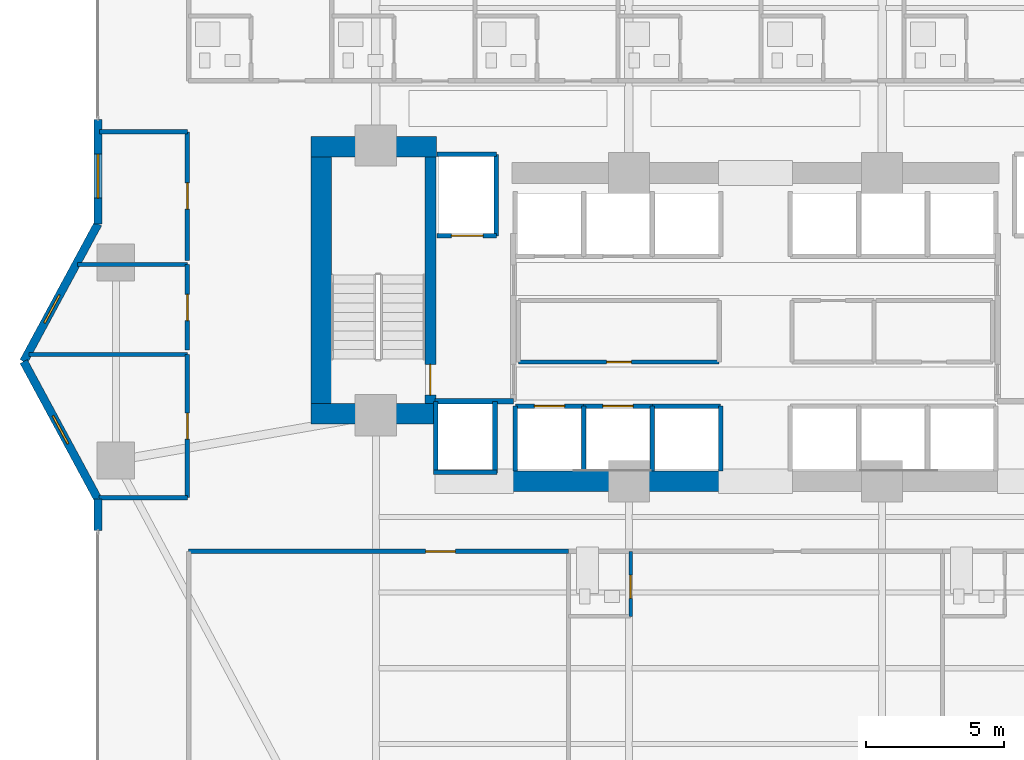
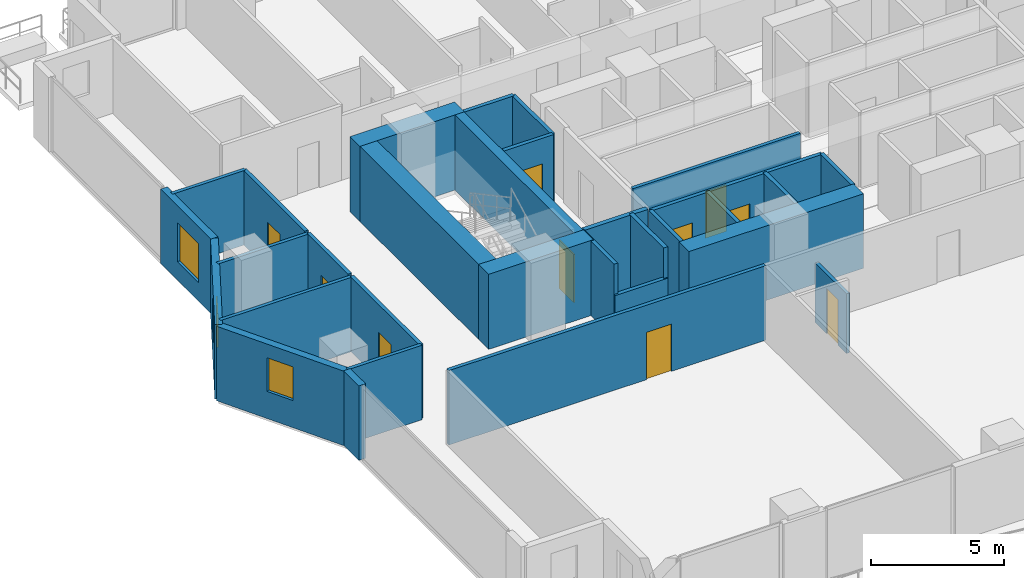
# One storey, part 21 of 29: 33 walls, 10 doors, 3 windows, 13 openings.
"""IFC4 building model written with IfcOpenShell, lengths in metres."""

from ifc_helpers import new_model, si_unit, direction, frame, frame_2d, origin, place, context, subcontext, project, spatial, rectangle, extrude, material, layer, layer_set, type_object, element, fill, save


model = new_model("IFC4")

# Units and contexts
model_context = context("Model", 3, precision=1e-05, world=origin(), true_north=direction((0.0, 1.0)))
body_context = subcontext(model_context, "Body", "Model", "MODEL_VIEW")
ifc_project = project(units=[si_unit("LENGTHUNIT", "METRE"), si_unit("AREAUNIT", "SQUARE_METRE"), si_unit("VOLUMEUNIT", "CUBIC_METRE"), si_unit("PLANEANGLEUNIT", "RADIAN"), si_unit("MASSUNIT", "GRAM", prefix="KILO")], contexts=[model_context])

# Site, building, storey
site_placement = place(None, origin())
site = spatial("IfcSite", under=ifc_project, at=site_placement, CompositionType="ELEMENT")
building_placement = place(site_placement, origin())
building = spatial("IfcBuilding", under=site, at=building_placement, Name="Zuhayl Quay Hotel", CompositionType="ELEMENT")
storey_placement = place(building_placement, frame((0.0, 0.0, 106.60009765625)))
storey = spatial("IfcBuildingStorey", under=building, at=storey_placement, Name="L26", CompositionType="ELEMENT", Elevation=106.60009765625)

# Walls
ifc_material_1 = material(Name="Concrete C60/75", Category="concrete")
ifc_layer_1 = layer(ifc_material_1, 0.75, Name="Concrete C60/75", Category="concrete")
ifc_layer_set_1 = layer_set([ifc_layer_1], Name="Concrete C60/75")
wall_type_1 = type_object("IfcWallType", Name="WL_CORE_750", PredefinedType="SHEAR", material=ifc_layer_set_1)
wall_1_placement = place(storey_placement, frame((-16.159912109375, 14.304931640625, 0.0), z_axis=(0.0, 0.0, 1.0), x_axis=(1.0, 0.0, 0.0)))
element("IfcWall", 1, at=wall_1_placement, inside=storey, type_object=wall_type_1, Name="L26 Core Shear Wall CW_NW", PredefinedType="SHEAR", context=body_context, shape_type="SweptSolid", body=[
    extrude(rectangle(XDim=4.559814453125, YDim=0.75, at=frame_2d((2.27978515625, 0.0))), origin(), (0.0, 0.0, 1.0), 3.4599609375),
])
wall_2_placement = place(storey_placement, frame((-15.784912109375, 4.969970703125, 0.0), z_axis=(0.0, 0.0, 1.0), x_axis=(0.0, 1.0, 0.0)))
element("IfcWall", 2, at=wall_2_placement, inside=storey, type_object=wall_type_1, Name="L26 Core Shear Wall CW_W", PredefinedType="SHEAR", context=body_context, shape_type="SweptSolid", body=[
    extrude(rectangle(XDim=8.9599609375, YDim=0.75, at=frame_2d((4.47998046875, 0.0))), origin(), (0.0, 0.0, 1.0), 3.4599609375),
])
wall_3_placement = place(storey_placement, frame((-16.159912109375, 4.594970703125, 0.0), z_axis=(0.0, 0.0, 1.0), x_axis=(1.0, 0.0, 0.0)))
element("IfcWall", 3, at=wall_3_placement, inside=storey, type_object=wall_type_1, Name="L26 Core Shear Wall CW_SW", PredefinedType="SHEAR", context=body_context, shape_type="SweptSolid", body=[
    extrude(rectangle(XDim=4.559814453125, YDim=0.75, at=frame_2d((2.27978515625, 0.0))), origin(), (0.0, 0.0, 1.0), 3.4599609375),
])
wall_4_placement = place(storey_placement, frame((-8.85009765625, 2.14990234375, 0.0), z_axis=(0.0, 0.0, 1.0), x_axis=(1.0, 0.0, 0.0)))
element("IfcWall", 4, at=wall_4_placement, inside=storey, type_object=wall_type_1, Name="L26 Core Shear Wall CW_SC_W", PredefinedType="SHEAR", context=body_context, shape_type="SweptSolid", body=[
    extrude(rectangle(XDim=7.60009765625, YDim=0.75, at=frame_2d((3.800048828125, 0.0))), origin(), (0.0, 0.0, 1.0), 3.429931640625),
])
ifc_material_2 = material(Name="Precast concrete C45/55", Category="concrete")
ifc_layer_2 = layer(ifc_material_2, 0.300048828125, Name="Precast concrete C45/55", Category="concrete")
ifc_layer_set_2 = layer_set([ifc_layer_2], Name="Precast concrete C45/55")
wall_type_2 = type_object("IfcWallType", Name="WL_EXT_300", PredefinedType="STANDARD", material=ifc_layer_set_2)
wall_5_placement = place(storey_placement, frame((-23.89990234375, 0.35009765625, 0.0), z_axis=(0.0, 0.0, 1.0), x_axis=(0.0, 1.0, 0.0)))
element("IfcWall", 5, at=wall_5_placement, inside=storey, type_object=wall_type_2, Name="L26 Exterior Precast Wall ENV_L26_E02_EW2", PredefinedType="STANDARD", context=body_context, shape_type="SweptSolid", body=[
    extrude(rectangle(XDim=1.14990234375, YDim=0.300048828125, at=frame_2d((0.574951171875, 0.0))), origin(), (0.0, 0.0, 1.0), 3.429931640625),
])

# Wall, opening, window
wall_6_placement = place(storey_placement, frame((-23.89990234375, 1.5, 0.0), z_axis=(0.0, 0.0, 1.0), x_axis=(-0.475175525499, 0.879891027325, 0.0)))
wall_6 = element("IfcWall", 6, at=wall_6_placement, inside=storey, type_object=wall_type_2, Name="L26 Exterior Precast Wall ENV_L26_EW03", PredefinedType="STANDARD", context=body_context, shape_type="SweptSolid", body=[
    extrude(rectangle(XDim=5.6826171875, YDim=0.300048828125, at=frame_2d((2.84130859375, 0.0))), origin(), (0.0, 0.0, 1.0), 3.429931640625),
])
opening_1_placement = place(wall_6_placement, frame((2.290283203125, 0.0, 1.25)))
opening_1 = element("IfcOpeningElement", 7, at=opening_1_placement, cuts=wall_6, Name="Opening W01N", PredefinedType="OPENING", context=body_context, shape_type="SweptSolid", body=[
    extrude(rectangle(XDim=1.14990234375, YDim=1.550048828125, at=frame_2d((0.574951171875, 0.77490234375))), frame((0.0, 0.159912109375, 0.0), z_axis=(0.0, -1.0, 0.0), x_axis=(1.0, 0.0, 0.0)), (0.0, 0.0, 1.0), 0.320068359375),
])
ifc_material_3 = material(Name="Dark Ceramic-Fritted Solar Glass", Category="glass")
window_type_1 = type_object("IfcWindowType", Name="WN_NOTCH_1350", PartitioningType="SINGLE_PANEL", PredefinedType="WINDOW", material=ifc_material_3)
window_1_placement = place(opening_1_placement, origin())
window_1 = element("IfcWindow", 8, at=window_1_placement, inside=storey, type_object=window_type_1, Name="L26 Corner Notch Window 3", OverallHeight=1.550048828125, OverallWidth=1.14990234375, PartitioningType="SINGLE_PANEL", PredefinedType="WINDOW", context=body_context, shape_type="SweptSolid", body=[
    extrude(rectangle(XDim=1.14990234375, YDim=1.550048828125, at=frame_2d((0.574951171875, 0.77490234375))), frame((0.0, 0.030029296875, 0.0), z_axis=(0.0, -1.0, 0.0), x_axis=(1.0, 0.0, 0.0)), (0.0, 0.0, 1.0), 0.06005859375),
])
fill(opening_1, window_1)

wall_7_placement = place(storey_placement, frame((-26.60009765625, 6.5, 0.0), z_axis=(0.0, 0.0, 1.0), x_axis=(0.475175525499, 0.879891027325, 0.0)))
wall_7 = element("IfcWall", 9, at=wall_7_placement, inside=storey, type_object=wall_type_2, Name="L26 Exterior Precast Wall ENV_L26_EW04", PredefinedType="STANDARD", context=body_context, shape_type="SweptSolid", body=[
    extrude(rectangle(XDim=5.6826171875, YDim=0.300048828125, at=frame_2d((2.84130859375, 0.0))), origin(), (0.0, 0.0, 1.0), 3.429931640625),
])
opening_2_placement = place(wall_7_placement, frame((1.595703125, 0.0, 1.25)))
opening_2 = element("IfcOpeningElement", 10, at=opening_2_placement, cuts=wall_7, Name="Opening W01N", PredefinedType="OPENING", context=body_context, shape_type="SweptSolid", body=[
    extrude(rectangle(XDim=1.14990234375, YDim=1.550048828125, at=frame_2d((0.574951171875, 0.77490234375))), frame((0.0, 0.159912109375, 0.0), z_axis=(0.0, -1.0, 0.0), x_axis=(1.0, 0.0, 0.0)), (0.0, 0.0, 1.0), 0.320068359375),
])
window_2_placement = place(opening_2_placement, origin())
window_2 = element("IfcWindow", 11, at=window_2_placement, inside=storey, type_object=window_type_1, Name="L26 Corner Notch Window 4", OverallHeight=1.550048828125, OverallWidth=1.14990234375, PartitioningType="SINGLE_PANEL", PredefinedType="WINDOW", context=body_context, shape_type="SweptSolid", body=[
    extrude(rectangle(XDim=1.14990234375, YDim=1.550048828125, at=frame_2d((0.574951171875, 0.77490234375))), frame((0.0, 0.030029296875, 0.0), z_axis=(0.0, -1.0, 0.0), x_axis=(1.0, 0.0, 0.0)), (0.0, 0.0, 1.0), 0.06005859375),
])
fill(opening_2, window_2)

wall_8_placement = place(storey_placement, frame((-23.89990234375, 11.5, 0.0), z_axis=(0.0, 0.0, 1.0), x_axis=(0.0, 1.0, 0.0)))
wall_8 = element("IfcWall", 12, at=wall_8_placement, inside=storey, type_object=wall_type_2, Name="L26 Exterior Precast Wall ENV_L26_E05_EW1", PredefinedType="STANDARD", context=body_context, shape_type="SweptSolid", body=[
    extrude(rectangle(XDim=3.800048828125, YDim=0.300048828125, at=frame_2d((1.89990234375, 0.0))), origin(), (0.0, 0.0, 1.0), 3.429931640625),
])
opening_3_placement = place(wall_8_placement, frame((0.93505859375, 0.0, 0.85009765625)))
opening_3 = element("IfcOpeningElement", 13, at=opening_3_placement, cuts=wall_8, Name="Opening W01", PredefinedType="OPENING", context=body_context, shape_type="SweptSolid", body=[
    extrude(rectangle(XDim=1.60009765625, YDim=1.800048828125, at=frame_2d((0.800048828125, 0.89990234375))), frame((0.0, 0.159912109375, 0.0), z_axis=(0.0, -1.0, 0.0), x_axis=(1.0, 0.0, 0.0)), (0.0, 0.0, 1.0), 0.320068359375),
])
window_type_2 = type_object("IfcWindowType", Name="WN_OPERABLE_1600", PartitioningType="DOUBLE_PANEL_VERTICAL", PredefinedType="WINDOW", material=ifc_material_3)
window_3_placement = place(opening_3_placement, origin())
window_3 = element("IfcWindow", 14, at=window_3_placement, inside=storey, type_object=window_type_2, Name="L26 Operable Facade Window 1-1", OverallHeight=1.800048828125, OverallWidth=1.60009765625, PartitioningType="SINGLE_PANEL", PredefinedType="WINDOW", context=body_context, shape_type="SweptSolid", body=[
    extrude(rectangle(XDim=1.60009765625, YDim=1.800048828125, at=frame_2d((0.800048828125, 0.89990234375))), frame((0.0, 0.030029296875, 0.0), z_axis=(0.0, -1.0, 0.0), x_axis=(1.0, 0.0, 0.0)), (0.0, 0.0, 1.0), 0.06005859375),
])
fill(opening_3, window_3)

# Wall, opening, door
ifc_material_4 = material(Name="Acoustic Gypsum Partition STC-58")
ifc_layer_3 = layer(ifc_material_4, 0.14990234375, Name="Acoustic Gypsum Partition STC-58")
ifc_layer_set_3 = layer_set([ifc_layer_3], Name="Acoustic Gypsum Partition STC-58")
wall_type_3 = type_object("IfcWallType", Name="WL_PART_150", PredefinedType="PARTITIONING", material=ifc_layer_set_3)
wall_9_placement = place(storey_placement, frame((-8.610107421875, 6.47998046875, 0.0), z_axis=(0.0, 0.0, 1.0), x_axis=(1.0, 0.0, 0.0)))
wall_9 = element("IfcWall", 15, at=wall_9_placement, inside=storey, type_object=wall_type_3, Name="L26 Partition IW_L26_CORE_EL_S", PredefinedType="PARTITIONING", context=body_context, shape_type="SweptSolid", body=[
    extrude(rectangle(XDim=7.2900390625, YDim=0.14990234375, at=frame_2d((3.64501953125, 0.0))), origin(), (0.0, 0.0, 1.0), 3.429931640625),
])
opening_4_placement = place(wall_9_placement, frame((3.195068359375, 0.0, 0.0)))
opening_4 = element("IfcOpeningElement", 16, at=opening_4_placement, cuts=wall_9, Name="Opening D06", PredefinedType="OPENING", context=body_context, shape_type="SweptSolid", body=[
    extrude(rectangle(XDim=0.89990234375, YDim=2.14990234375, at=frame_2d((0.449951171875, 1.074951171875))), frame((0.0, 0.0849609375, 0.0), z_axis=(0.0, -1.0, 0.0), x_axis=(1.0, 0.0, 0.0)), (0.0, 0.0, 1.0), 0.169921875),
])
ifc_material_5 = material(Name="Steel ASTM A992 Grade 50", Category="steel")
door_type_1 = type_object("IfcDoorType", Name="DR_INT_900", OperationType="NOTDEFINED", PredefinedType="DOOR", material=ifc_material_5)
door_1_placement = place(opening_4_placement, origin())
door_1 = element("IfcDoor", 17, at=door_1_placement, inside=storey, type_object=door_type_1, Name="L26 Floor Electrical Plant Room Door", OperationType="SINGLE_SWING_LEFT", OverallHeight=2.14990234375, OverallWidth=0.89990234375, PredefinedType="DOOR", context=body_context, shape_type="SweptSolid", body=[
    extrude(rectangle(XDim=0.89990234375, YDim=2.14990234375, at=frame_2d((0.449951171875, 1.074951171875))), frame((0.0, 0.02490234375, 0.0), z_axis=(0.0, -1.0, 0.0), x_axis=(1.0, 0.0, 0.0)), (0.0, 0.0, 1.0), 0.050048828125),
])
fill(opening_4, door_1)

# Walls
wall_10_placement = place(storey_placement, frame((-23.866943359375, 1.550048828125, 0.0), z_axis=(0.0, 0.0, 1.0), x_axis=(1.0, 0.0, 0.0)))
element("IfcWall", 18, at=wall_10_placement, inside=storey, type_object=wall_type_3, Name="L26 Partition IW_L26_WPROW_1_S", PredefinedType="PARTITIONING", context=body_context, shape_type="SweptSolid", body=[
    extrude(rectangle(XDim=3.217041015625, YDim=0.14990234375, at=frame_2d((1.6083984375, 0.0))), origin(), (0.0, 0.0, 1.0), 3.429931640625),
])
wall_11_placement = place(storey_placement, frame((-26.405029296875, 6.75, 0.0), z_axis=(0.0, 0.0, 1.0), x_axis=(1.0, 0.0, 0.0)))
element("IfcWall", 19, at=wall_11_placement, inside=storey, type_object=wall_type_3, Name="L26 Partition IW_L26_WPROW_1_N", PredefinedType="PARTITIONING", context=body_context, shape_type="SweptSolid", body=[
    extrude(rectangle(XDim=5.755126953125, YDim=0.14990234375, at=frame_2d((2.87744140625, 0.0))), origin(), (0.0, 0.0, 1.0), 3.429931640625),
])
wall_12_placement = place(storey_placement, frame((-24.63916015625, 10.02001953125, 0.0), z_axis=(0.0, 0.0, 1.0), x_axis=(1.0, 0.0, 0.0)))
element("IfcWall", 20, at=wall_12_placement, inside=storey, type_object=wall_type_3, Name="L26 Partition IW_L26_WPROW_2_N", PredefinedType="PARTITIONING", context=body_context, shape_type="SweptSolid", body=[
    extrude(rectangle(XDim=3.9892578125, YDim=0.14990234375, at=frame_2d((1.99462890625, 0.0))), origin(), (0.0, 0.0, 1.0), 3.429931640625),
])
wall_13_placement = place(storey_placement, frame((-23.840087890625, 14.85009765625, 0.0), z_axis=(0.0, 0.0, 1.0), x_axis=(1.0, 0.0, 0.0)))
element("IfcWall", 21, at=wall_13_placement, inside=storey, type_object=wall_type_3, Name="L26 Partition IW_L26_WPROW_3_N", PredefinedType="PARTITIONING", context=body_context, shape_type="SweptSolid", body=[
    extrude(rectangle(XDim=3.190185546875, YDim=0.14990234375, at=frame_2d((1.59521484375, 0.0))), origin(), (0.0, 0.0, 1.0), 3.429931640625),
])

# Wall, opening, door
ifc_layer_4 = layer(ifc_material_4, 0.159912109375, Name="Acoustic Gypsum Partition STC-58")
ifc_layer_set_4 = layer_set([ifc_layer_4], Name="Acoustic Gypsum Partition STC-58")
wall_type_4 = type_object("IfcWallType", Name="WL_PART_CORR_160", PredefinedType="PARTITIONING", material=ifc_layer_set_4)
wall_14_placement = place(storey_placement, frame((-20.60009765625, -0.39990234375, 0.0), z_axis=(0.0, 0.0, 1.0), x_axis=(1.0, 0.0, 0.0)))
wall_14 = element("IfcWall", 22, at=wall_14_placement, inside=storey, type_object=wall_type_4, Name="L26 Partition IW_L26_SSAL_0_N", PredefinedType="PARTITIONING", context=body_context, shape_type="SweptSolid", body=[
    extrude(rectangle(XDim=13.800048828125, YDim=0.159912109375, at=frame_2d((6.89990234375, 0.0))), origin(), (0.0, 0.0, 1.0), 3.429931640625),
])
opening_5_placement = place(wall_14_placement, frame((8.610107421875, 0.0, 0.0)))
opening_5 = element("IfcOpeningElement", 23, at=opening_5_placement, cuts=wall_14, Name="Opening D05A", PredefinedType="OPENING", context=body_context, shape_type="SweptSolid", body=[
    extrude(rectangle(XDim=1.080078125, YDim=2.179931640625, at=frame_2d((0.5400390625, 1.08984375))), frame((0.0, 0.08984375, 0.0), z_axis=(0.0, -1.0, 0.0), x_axis=(1.0, 0.0, 0.0)), (0.0, 0.0, 1.0), 0.179931640625),
])
ifc_material_6 = material(Name="Solid Walnut Acoustic Fire Door")
door_type_2 = type_object("IfcDoorType", Name="DR_INT_1100", OperationType="NOTDEFINED", PredefinedType="DOOR", material=ifc_material_6)
door_2_placement = place(opening_5_placement, origin())
door_2 = element("IfcDoor", 24, at=door_2_placement, inside=storey, type_object=door_type_2, Name="L26 South Sunset Salon L26 Door", OperationType="SINGLE_SWING_RIGHT", OverallHeight=2.179931640625, OverallWidth=1.080078125, PredefinedType="DOOR", context=body_context, shape_type="SweptSolid", body=[
    extrude(rectangle(XDim=1.080078125, YDim=2.179931640625, at=frame_2d((0.5400390625, 1.08984375))), frame((0.0, 0.02490234375, 0.0), z_axis=(0.0, -1.0, 0.0), x_axis=(1.0, 0.0, 0.0)), (0.0, 0.0, 1.0), 0.050048828125),
])
fill(opening_5, door_2)

wall_15_placement = place(storey_placement, frame((-20.64990234375, 1.550048828125, 0.0), z_axis=(0.0, 0.0, 1.0), x_axis=(0.0, 1.0, 0.0)))
wall_15 = element("IfcWall", 25, at=wall_15_placement, inside=storey, type_object=wall_type_4, Name="L26 Partition IW_L26_WPROW_1_E", PredefinedType="PARTITIONING", context=body_context, shape_type="SweptSolid", body=[
    extrude(rectangle(XDim=5.199951171875, YDim=0.159912109375, at=frame_2d((2.60009765625, 0.0))), origin(), (0.0, 0.0, 1.0), 3.429931640625),
])
opening_6_placement = place(wall_15_placement, frame((2.125, 0.0, 0.0)))
opening_6 = element("IfcOpeningElement", 26, at=opening_6_placement, cuts=wall_15, Name="Opening D03", PredefinedType="OPENING", context=body_context, shape_type="SweptSolid", body=[
    extrude(rectangle(XDim=0.949951171875, YDim=2.14990234375, at=frame_2d((0.47509765625, 1.074951171875))), frame((0.0, 0.08984375, 0.0), z_axis=(0.0, -1.0, 0.0), x_axis=(1.0, 0.0, 0.0)), (0.0, 0.0, 1.0), 0.179931640625),
])
door_type_3 = type_object("IfcDoorType", Name="DR_SUITE_950", OperationType="NOTDEFINED", PredefinedType="DOOR", material=ifc_material_6)
door_3_placement = place(opening_6_placement, origin())
door_3 = element("IfcDoor", 27, at=door_3_placement, inside=storey, type_object=door_type_3, Name="L26 West Prow Office L26 Door", OperationType="SINGLE_SWING_LEFT", OverallHeight=2.14990234375, OverallWidth=0.949951171875, PredefinedType="DOOR", context=body_context, shape_type="SweptSolid", body=[
    extrude(rectangle(XDim=0.949951171875, YDim=2.14990234375, at=frame_2d((0.47509765625, 1.074951171875))), frame((0.0, 0.02490234375, 0.0), z_axis=(0.0, -1.0, 0.0), x_axis=(1.0, 0.0, 0.0)), (0.0, 0.0, 1.0), 0.050048828125),
])
fill(opening_6, door_3)

wall_16_placement = place(storey_placement, frame((-20.64990234375, 6.909912109375, 0.0), z_axis=(0.0, 0.0, 1.0), x_axis=(0.0, 1.0, 0.0)))
wall_16 = element("IfcWall", 28, at=wall_16_placement, inside=storey, type_object=wall_type_4, Name="L26 Partition IW_L26_WPROW_2_E", PredefinedType="PARTITIONING", context=body_context, shape_type="SweptSolid", body=[
    extrude(rectangle(XDim=3.110107421875, YDim=0.159912109375, at=frame_2d((1.55517578125, 0.0))), origin(), (0.0, 0.0, 1.0), 3.429931640625),
])
opening_7_placement = place(wall_16_placement, frame((1.080078125, 0.0, 0.0)))
opening_7 = element("IfcOpeningElement", 29, at=opening_7_placement, cuts=wall_16, Name="Opening D03", PredefinedType="OPENING", context=body_context, shape_type="SweptSolid", body=[
    extrude(rectangle(XDim=0.949951171875, YDim=2.14990234375, at=frame_2d((0.47509765625, 1.074951171875))), frame((0.0, 0.08984375, 0.0), z_axis=(0.0, -1.0, 0.0), x_axis=(1.0, 0.0, 0.0)), (0.0, 0.0, 1.0), 0.179931640625),
])
door_4_placement = place(opening_7_placement, origin())
door_4 = element("IfcDoor", 30, at=door_4_placement, inside=storey, type_object=door_type_3, Name="L26 Sunset Tea Salon L26 Door", OperationType="SINGLE_SWING_RIGHT", OverallHeight=2.14990234375, OverallWidth=0.949951171875, PredefinedType="DOOR", context=body_context, shape_type="SweptSolid", body=[
    extrude(rectangle(XDim=0.949951171875, YDim=2.14990234375, at=frame_2d((0.47509765625, 1.074951171875))), frame((0.0, 0.02490234375, 0.0), z_axis=(0.0, -1.0, 0.0), x_axis=(1.0, 0.0, 0.0)), (0.0, 0.0, 1.0), 0.050048828125),
])
fill(opening_7, door_4)

wall_17_placement = place(storey_placement, frame((-20.64990234375, 10.179931640625, 0.0), z_axis=(0.0, 0.0, 1.0), x_axis=(0.0, 1.0, 0.0)))
wall_17 = element("IfcWall", 31, at=wall_17_placement, inside=storey, type_object=wall_type_4, Name="L26 Partition IW_L26_WPROW_3_E", PredefinedType="PARTITIONING", context=body_context, shape_type="SweptSolid", body=[
    extrude(rectangle(XDim=4.670166015625, YDim=0.159912109375, at=frame_2d((2.3349609375, 0.0))), origin(), (0.0, 0.0, 1.0), 3.429931640625),
])
opening_8_placement = place(wall_17_placement, frame((1.860107421875, 0.0, 0.0)))
opening_8 = element("IfcOpeningElement", 32, at=opening_8_placement, cuts=wall_17, Name="Opening D03", PredefinedType="OPENING", context=body_context, shape_type="SweptSolid", body=[
    extrude(rectangle(XDim=0.949951171875, YDim=2.14990234375, at=frame_2d((0.47509765625, 1.074951171875))), frame((0.0, 0.08984375, 0.0), z_axis=(0.0, -1.0, 0.0), x_axis=(1.0, 0.0, 0.0)), (0.0, 0.0, 1.0), 0.179931640625),
])
door_5_placement = place(opening_8_placement, origin())
door_5 = element("IfcDoor", 33, at=door_5_placement, inside=storey, type_object=door_type_3, Name="L26 West Horizon Salon L26 Door", OperationType="SINGLE_SWING_LEFT", OverallHeight=2.14990234375, OverallWidth=0.949951171875, PredefinedType="DOOR", context=body_context, shape_type="SweptSolid", body=[
    extrude(rectangle(XDim=0.949951171875, YDim=2.14990234375, at=frame_2d((0.47509765625, 1.074951171875))), frame((0.0, 0.02490234375, 0.0), z_axis=(0.0, -1.0, 0.0), x_axis=(1.0, 0.0, 0.0)), (0.0, 0.0, 1.0), 0.050048828125),
])
fill(opening_8, door_5)

ifc_material_7 = material(Name="Moisture-Resistant Sanitarychase Gypsum")
ifc_layer_5 = layer(ifc_material_7, 0.135009765625, Name="Moisture-Resistant Sanitarychase Gypsum")
ifc_layer_set_5 = layer_set([ifc_layer_5], Name="Moisture-Resistant Sanitarychase Gypsum")
wall_type_5 = type_object("IfcWallType", Name="WL_PART_PLUMB_150", PredefinedType="PLUMBINGWALL", material=ifc_layer_set_5)
wall_18_placement = place(storey_placement, frame((-4.5400390625, -2.760009765625, 0.0), z_axis=(0.0, 0.0, 1.0), x_axis=(0.0, 1.0, 0.0)))
wall_18 = element("IfcWall", 34, at=wall_18_placement, inside=storey, type_object=wall_type_5, Name="L26 Partition IW_L26_SU02_BE", PredefinedType="PLUMBINGWALL", context=body_context, shape_type="SweptSolid", body=[
    extrude(rectangle(XDim=2.360107421875, YDim=0.135009765625, at=frame_2d((1.18017578125, 0.0))), origin(), (0.0, 0.0, 1.0), 2.746826171875),
])
opening_9_placement = place(wall_18_placement, frame((0.64990234375, 0.0, 0.0)))
opening_9 = element("IfcOpeningElement", 35, at=opening_9_placement, cuts=wall_18, Name="Opening D04", PredefinedType="OPENING", context=body_context, shape_type="SweptSolid", body=[
    extrude(rectangle(XDim=0.85009765625, YDim=2.10009765625, at=frame_2d((0.425048828125, 1.050048828125))), frame((0.0, 0.077392578125, 0.0), z_axis=(0.0, -1.0, 0.0), x_axis=(1.0, 0.0, 0.0)), (0.0, 0.0, 1.0), 0.155029296875),
])
ifc_material_8 = material(Name="Moisture-Resistant Walnut Veneer")
door_type_4 = type_object("IfcDoorType", Name="DR_BATH_850", OperationType="NOTDEFINED", PredefinedType="DOOR", material=ifc_material_8)
door_6_placement = place(opening_9_placement, origin())
door_6 = element("IfcDoor", 36, at=door_6_placement, inside=storey, type_object=door_type_4, Name="L26 City-View Junior Suite L26-02 En-Suite Door", OperationType="SINGLE_SWING_LEFT", OverallHeight=2.10009765625, OverallWidth=0.85009765625, PredefinedType="DOOR", context=body_context, shape_type="SweptSolid", body=[
    extrude(rectangle(XDim=0.85009765625, YDim=2.10009765625, at=frame_2d((0.425048828125, 1.050048828125))), frame((0.0, 0.02490234375, 0.0), z_axis=(0.0, -1.0, 0.0), x_axis=(1.0, 0.0, 0.0)), (0.0, 0.0, 1.0), 0.050048828125),
])
fill(opening_9, door_6)

ifc_material_9 = material(Name="Gypsum Fireboard Assembly EI-90")
ifc_layer_6 = layer(ifc_material_9, 0.1650390625, Name="Gypsum Fireboard Assembly EI-90")
ifc_layer_set_6 = layer_set([ifc_layer_6], Name="Gypsum Fireboard Assembly EI-90")
wall_type_6 = type_object("IfcWallType", Name="WL_PART_SHAFT_160", PredefinedType="PARTITIONING", material=ifc_layer_set_6)
wall_19_placement = place(storey_placement, frame((-11.580078125, 11.070068359375, 0.0), z_axis=(0.0, 0.0, 1.0), x_axis=(1.0, 0.0, 0.0)))
wall_19 = element("IfcWall", 37, at=wall_19_placement, inside=storey, type_object=wall_type_6, Name="L26 Partition IW_L26_SH_FL1_F", PredefinedType="PARTITIONING", context=body_context, shape_type="SweptSolid", body=[
    extrude(rectangle(XDim=2.16015625, YDim=0.1650390625, at=frame_2d((1.080078125, 0.0))), origin(), (0.0, 0.0, 1.0), 3.429931640625),
])
opening_10_placement = place(wall_19_placement, frame((0.530029296875, 0.0, 0.0)))
opening_10 = element("IfcOpeningElement", 38, at=opening_10_placement, cuts=wall_19, Name="Opening LD2", PredefinedType="OPENING", context=body_context, shape_type="SweptSolid", body=[
    extrude(rectangle(XDim=1.14990234375, YDim=2.25, at=frame_2d((0.574951171875, 1.125))), frame((0.0, 0.092529296875, 0.0), z_axis=(0.0, -1.0, 0.0), x_axis=(1.0, 0.0, 0.0)), (0.0, 0.0, 1.0), 0.18505859375),
])
ifc_material_10 = material(Name="Brushed Stainless Steel", Category="steel")
door_type_5 = type_object("IfcDoorType", Name="DR_LIFT_FF_1100", OperationType="SLIDING_TO_LEFT", PredefinedType="DOOR", material=ifc_material_10)
door_7_placement = place(opening_10_placement, origin())
door_7 = element("IfcDoor", 39, at=door_7_placement, inside=storey, type_object=door_type_5, Name="L26 Lift FL1 Sliding Landing Door", OperationType="SLIDING_TO_LEFT", OverallHeight=2.25, OverallWidth=1.14990234375, PredefinedType="DOOR", context=body_context, shape_type="SweptSolid", body=[
    extrude(rectangle(XDim=1.14990234375, YDim=2.25, at=frame_2d((0.574951171875, 1.125))), frame((0.0, 0.02490234375, 0.0), z_axis=(0.0, -1.0, 0.0), x_axis=(1.0, 0.0, 0.0)), (0.0, 0.0, 1.0), 0.050048828125),
])
fill(opening_10, door_7)

wall_20_placement = place(storey_placement, frame((-8.72998046875, 4.8798828125, 0.0), z_axis=(0.0, 0.0, 1.0), x_axis=(1.0, 0.0, 0.0)))
wall_20 = element("IfcWall", 40, at=wall_20_placement, inside=storey, type_object=wall_type_6, Name="L26 Partition IW_L26_SH_LP1_F", PredefinedType="PARTITIONING", context=body_context, shape_type="SweptSolid", body=[
    extrude(rectangle(XDim=2.47998046875, YDim=0.1650390625, at=frame_2d((1.239990234375, 0.0))), origin(), (0.0, 0.0, 1.0), 3.429931640625),
])
opening_11_placement = place(wall_20_placement, frame((0.68994140625, 0.0, 0.0)))
opening_11 = element("IfcOpeningElement", 41, at=opening_11_placement, cuts=wall_20, Name="Opening LD1", PredefinedType="OPENING", context=body_context, shape_type="SweptSolid", body=[
    extrude(rectangle(XDim=1.10009765625, YDim=2.25, at=frame_2d((0.550048828125, 1.125))), frame((0.0, 0.092529296875, 0.0), z_axis=(0.0, -1.0, 0.0), x_axis=(1.0, 0.0, 0.0)), (0.0, 0.0, 1.0), 0.18505859375),
])
door_type_6 = type_object("IfcDoorType", Name="DR_LIFT_PASS_1100", OperationType="SLIDING_TO_LEFT", PredefinedType="DOOR", material=ifc_material_10)
door_8_placement = place(opening_11_placement, origin())
door_8 = element("IfcDoor", 42, at=door_8_placement, inside=storey, type_object=door_type_6, Name="L26 Lift LP1 Sliding Landing Door", OperationType="SLIDING_TO_LEFT", OverallHeight=2.25, OverallWidth=1.10009765625, PredefinedType="DOOR", context=body_context, shape_type="SweptSolid", body=[
    extrude(rectangle(XDim=1.10009765625, YDim=2.25, at=frame_2d((0.550048828125, 1.125))), frame((0.0, 0.02490234375, 0.0), z_axis=(0.0, -1.0, 0.0), x_axis=(1.0, 0.0, 0.0)), (0.0, 0.0, 1.0), 0.050048828125),
])
fill(opening_11, door_8)

wall_21_placement = place(storey_placement, frame((-6.25, 4.8798828125, 0.0), z_axis=(0.0, 0.0, 1.0), x_axis=(1.0, 0.0, 0.0)))
wall_21 = element("IfcWall", 43, at=wall_21_placement, inside=storey, type_object=wall_type_6, Name="L26 Partition IW_L26_SH_LP2_F", PredefinedType="PARTITIONING", context=body_context, shape_type="SweptSolid", body=[
    extrude(rectangle(XDim=2.5, YDim=0.1650390625, at=frame_2d((1.25, 0.0))), origin(), (0.0, 0.0, 1.0), 3.429931640625),
])
opening_12_placement = place(wall_21_placement, frame((0.699951171875, 0.0, 0.0)))
opening_12 = element("IfcOpeningElement", 44, at=opening_12_placement, cuts=wall_21, Name="Opening LD1", PredefinedType="OPENING", context=body_context, shape_type="SweptSolid", body=[
    extrude(rectangle(XDim=1.10009765625, YDim=2.25, at=frame_2d((0.550048828125, 1.125))), frame((0.0, 0.092529296875, 0.0), z_axis=(0.0, -1.0, 0.0), x_axis=(1.0, 0.0, 0.0)), (0.0, 0.0, 1.0), 0.18505859375),
])
door_9_placement = place(opening_12_placement, origin())
door_9 = element("IfcDoor", 45, at=door_9_placement, inside=storey, type_object=door_type_6, Name="L26 Lift LP2 Sliding Landing Door", OperationType="SLIDING_TO_LEFT", OverallHeight=2.25, OverallWidth=1.10009765625, PredefinedType="DOOR", context=body_context, shape_type="SweptSolid", body=[
    extrude(rectangle(XDim=1.10009765625, YDim=2.25, at=frame_2d((0.550048828125, 1.125))), frame((0.0, 0.02490234375, 0.0), z_axis=(0.0, -1.0, 0.0), x_axis=(1.0, 0.0, 0.0)), (0.0, 0.0, 1.0), 0.050048828125),
])
fill(opening_12, door_9)

# Walls
wall_22_placement = place(storey_placement, frame((-9.419921875, 11.070068359375, 0.0), z_axis=(0.0, 0.0, 1.0), x_axis=(0.0, 1.0, 0.0)))
element("IfcWall", 46, at=wall_22_placement, inside=storey, type_object=wall_type_6, Name="L26 Partition IW_L26_SH_FL1_E", PredefinedType="PARTITIONING", context=body_context, shape_type="SweptSolid", body=[
    extrude(rectangle(XDim=2.9599609375, YDim=0.1650390625, at=frame_2d((1.47998046875, 0.0))), origin(), (0.0, 0.0, 1.0), 3.429931640625),
])
wall_23_placement = place(storey_placement, frame((-11.580078125, 14.030029296875, 0.0), z_axis=(0.0, 0.0, 1.0), x_axis=(1.0, 0.0, 0.0)))
element("IfcWall", 47, at=wall_23_placement, inside=storey, type_object=wall_type_6, Name="L26 Partition IW_L26_SH_FL1_B", PredefinedType="PARTITIONING", context=body_context, shape_type="SweptSolid", body=[
    extrude(rectangle(XDim=2.16015625, YDim=0.1650390625, at=frame_2d((1.080078125, 0.0))), origin(), (0.0, 0.0, 1.0), 3.429931640625),
])
for number, where, z_axis, x_axis, name in (
    (48, (-8.72998046875, 2.52001953125, 0.0), (0.0, 0.0, 1.0), (0.0, 1.0, 0.0), "L26 Partition IW_L26_SH_LP1_W"),
    (49, (-6.25, 2.52001953125, 0.0), (0.0, 0.0, 1.0), (0.0, 1.0, 0.0), "L26 Partition IW_L26_SH_LP1_E"),
    (50, (-3.75, 2.52001953125, 0.0), (0.0, 0.0, 1.0), (0.0, 1.0, 0.0), "L26 Partition IW_L26_SH_LP2_E"),
):
    element("IfcWall", number, at=place(storey_placement, frame(where, z_axis=z_axis, x_axis=x_axis)), inside=storey, type_object=wall_type_6, Name=name, PredefinedType="PARTITIONING", context=body_context, shape_type="SweptSolid", body=[
        extrude(rectangle(XDim=2.35986328125, YDim=0.1650390625, at=frame_2d((1.179931640625, 0.0))), origin(), (0.0, 0.0, 1.0), 3.429931640625),
    ])
wall_24_placement = place(storey_placement, frame((-3.75, 4.8798828125, 0.0), z_axis=(0.0, 0.0, 1.0), x_axis=(1.0, 0.0, 0.0)))
element("IfcWall", 51, at=wall_24_placement, inside=storey, type_object=wall_type_6, Name="L26 Partition IW_L26_SH_MP1_F", PredefinedType="PARTITIONING", context=body_context, shape_type="SweptSolid", body=[
    extrude(rectangle(XDim=2.47998046875, YDim=0.1650390625, at=frame_2d((1.239990234375, 0.0))), origin(), (0.0, 0.0, 1.0), 3.429931640625),
])
wall_25_placement = place(storey_placement, frame((-1.27001953125, 2.52001953125, 0.0), z_axis=(0.0, 0.0, 1.0), x_axis=(0.0, 1.0, 0.0)))
element("IfcWall", 52, at=wall_25_placement, inside=storey, type_object=wall_type_6, Name="L26 Partition IW_L26_SH_MP1_E", PredefinedType="PARTITIONING", context=body_context, shape_type="SweptSolid", body=[
    extrude(rectangle(XDim=2.35986328125, YDim=0.1650390625, at=frame_2d((1.179931640625, 0.0))), origin(), (0.0, 0.0, 1.0), 3.429931640625),
])
wall_26_placement = place(storey_placement, frame((-11.6298828125, 2.469970703125, 0.0), z_axis=(0.0, 0.0, 1.0), x_axis=(0.0, 1.0, 0.0)))
element("IfcWall", 53, at=wall_26_placement, inside=storey, type_object=wall_type_6, Name="L26 Partition IW_L26_RISER_W", PredefinedType="PARTITIONING", context=body_context, shape_type="SweptSolid", body=[
    extrude(rectangle(XDim=2.580078125, YDim=0.1650390625, at=frame_2d((1.2900390625, 0.0))), origin(), (0.0, 0.0, 1.0), 3.429931640625),
])
wall_27_placement = place(storey_placement, frame((-11.7099609375, 2.469970703125, 0.0), z_axis=(0.0, 0.0, 1.0), x_axis=(1.0, 0.0, 0.0)))
element("IfcWall", 54, at=wall_27_placement, inside=storey, type_object=wall_type_6, Name="L26 Partition IW_L26_RISER_S", PredefinedType="PARTITIONING", context=body_context, shape_type="SweptSolid", body=[
    extrude(rectangle(XDim=2.31005859375, YDim=0.1650390625, at=frame_2d((1.155029296875, 0.0))), origin(), (0.0, 0.0, 1.0), 2.02978515625),
])
ifc_layer_7 = layer(ifc_material_9, 0.179931640625, Name="Gypsum Fireboard Assembly EI-90")
ifc_layer_set_7 = layer_set([ifc_layer_7], Name="Gypsum Fireboard Assembly EI-90")
wall_type_7 = type_object("IfcWallType", Name="WL_PART_SHAFT_180", PredefinedType="PARTITIONING", material=ifc_layer_set_7)
wall_28_placement = place(storey_placement, frame((-9.469970703125, 2.449951171875, 0.0), z_axis=(0.0, 0.0, 1.0), x_axis=(0.0, 1.0, 0.0)))
element("IfcWall", 55, at=wall_28_placement, inside=storey, type_object=wall_type_7, Name="L26 Partition IW_L26_RISER_E", PredefinedType="PARTITIONING", context=body_context, shape_type="SweptSolid", body=[
    extrude(rectangle(XDim=2.60009765625, YDim=0.179931640625, at=frame_2d((1.300048828125, 0.0))), origin(), (0.0, 0.0, 1.0), 3.429931640625),
])
ifc_material_11 = material(Name="Gypsum Fireboard Assembly EI-120")
ifc_layer_8 = layer(ifc_material_11, 0.199951171875, Name="Gypsum Fireboard Assembly EI-120")
ifc_layer_set_8 = layer_set([ifc_layer_8], Name="Gypsum Fireboard Assembly EI-120")
wall_type_8 = type_object("IfcWallType", Name="WL_PART_SHAFT_200", PredefinedType="PARTITIONING", material=ifc_layer_set_8)
wall_29_placement = place(storey_placement, frame((-11.64990234375, 5.050048828125, 0.0), z_axis=(0.0, 0.0, 1.0), x_axis=(1.0, 0.0, 0.0)))
element("IfcWall", 56, at=wall_29_placement, inside=storey, type_object=wall_type_8, Name="L26 Partition IW_L26_FSAE_W_S", PredefinedType="PARTITIONING", context=body_context, shape_type="SweptSolid", body=[
    extrude(rectangle(XDim=2.849853515625, YDim=0.199951171875, at=frame_2d((1.4248046875, 0.0))), origin(), (0.0, 0.0, 1.0), 3.429931640625),
])

# Wall, opening, door
ifc_layer_9 = layer(ifc_material_1, 0.39990234375, Name="Concrete C60/75", Category="concrete")
ifc_layer_set_9 = layer_set([ifc_layer_9], Name="Concrete C60/75")
wall_type_9 = type_object("IfcWallType", Name="WL_STAIR_400", PredefinedType="SHEAR", material=ifc_layer_set_9)
wall_30_placement = place(storey_placement, frame((-11.820068359375, 4.969970703125, 0.0), z_axis=(0.0, 0.0, 1.0), x_axis=(0.0, 1.0, 0.0)))
wall_30 = element("IfcWall", 57, at=wall_30_placement, inside=storey, type_object=wall_type_9, Name="L26 Core Shear Wall SW_ST1", PredefinedType="SHEAR", context=body_context, shape_type="SweptSolid", body=[
    extrude(rectangle(XDim=8.9599609375, YDim=0.39990234375, at=frame_2d((4.47998046875, 0.0))), origin(), (0.0, 0.0, 1.0), 3.4599609375),
])
opening_13_placement = place(wall_30_placement, frame((0.31005859375, 0.0, 0.0)))
opening_13 = element("IfcOpeningElement", 58, at=opening_13_placement, cuts=wall_30, Name="Opening D01", PredefinedType="OPENING", context=body_context, shape_type="SweptSolid", body=[
    extrude(rectangle(XDim=1.1201171875, YDim=2.219970703125, at=frame_2d((0.56005859375, 1.10986328125))), frame((0.0, 0.2099609375, 0.0), z_axis=(0.0, -1.0, 0.0), x_axis=(1.0, 0.0, 0.0)), (0.0, 0.0, 1.0), 0.419921875),
])
door_type_7 = type_object("IfcDoorType", Name="DR_STAIR_90_1100", OperationType="NOTDEFINED", PredefinedType="DOOR", material=ifc_material_5)
door_10_placement = place(opening_13_placement, origin())
door_10 = element("IfcDoor", 59, at=door_10_placement, inside=storey, type_object=door_type_7, Name="L26 Smokeproof Exit Stair ST1 Door", OperationType="SINGLE_SWING_LEFT", OverallHeight=2.219970703125, OverallWidth=1.1201171875, PredefinedType="DOOR", context=body_context, shape_type="SweptSolid", body=[
    extrude(rectangle(XDim=1.1201171875, YDim=2.219970703125, at=frame_2d((0.56005859375, 1.10986328125))), frame((0.0, 0.02490234375, 0.0), z_axis=(0.0, -1.0, 0.0), x_axis=(1.0, 0.0, 0.0)), (0.0, 0.0, 1.0), 0.050048828125),
])
fill(opening_13, door_10)

save(model, "model.ifc")
